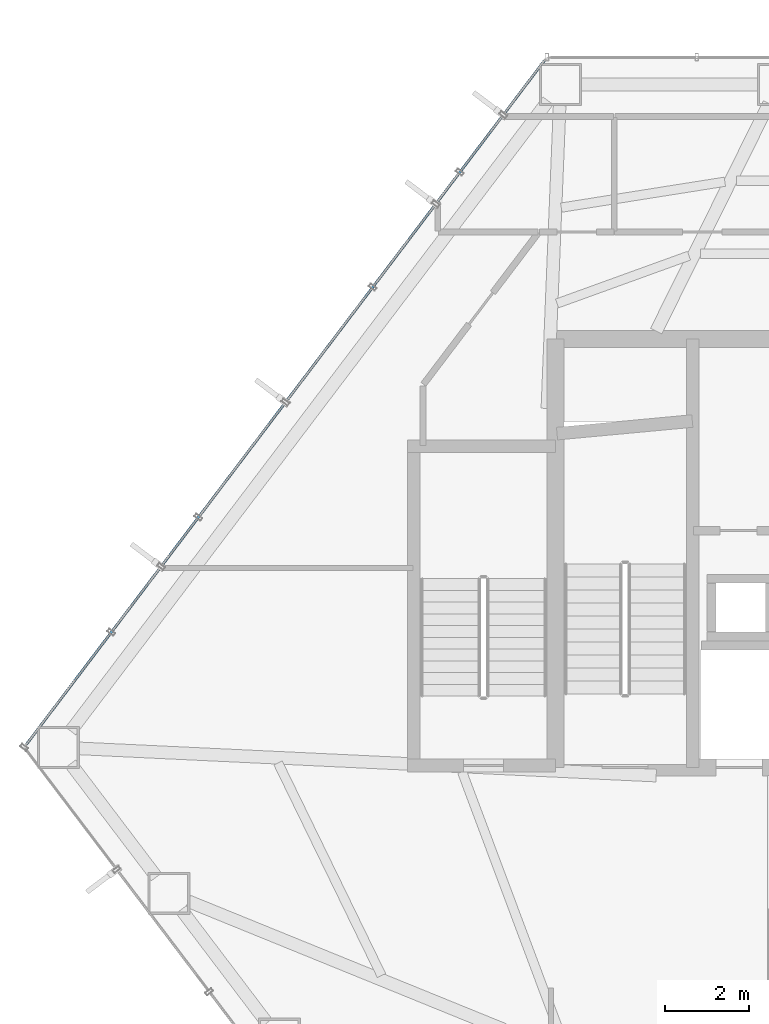
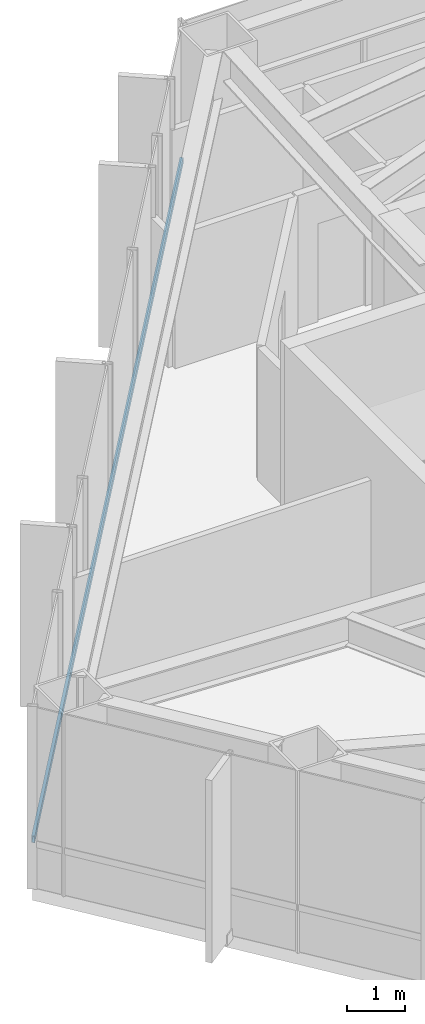
# One storey, part 12 of 26: 1 member, 1 element without a shape of its own.
"""IFC4 building model written with IfcOpenShell, lengths in metres."""

from ifc_helpers import new_model, si_unit, direction, frame, origin, origin_2d, place, context, subcontext, project, spatial, hollow_rectangle, extrude, material, layer, layer_set, material_profile, profile_set, type_object, element, aggregate, save


model = new_model("IFC4")

# Units and contexts
model_context = context("Model", 3, precision=1e-05, world=origin(), true_north=direction((0.0, 1.0)))
body_context = subcontext(model_context, "Body", "Model", "MODEL_VIEW")
ifc_project = project(units=[si_unit("LENGTHUNIT", "METRE"), si_unit("AREAUNIT", "SQUARE_METRE"), si_unit("VOLUMEUNIT", "CUBIC_METRE"), si_unit("PLANEANGLEUNIT", "RADIAN"), si_unit("MASSUNIT", "GRAM", prefix="KILO")], contexts=[model_context])

# Site, building, storey
site_placement = place(None, origin())
site = spatial("IfcSite", under=ifc_project, at=site_placement, CompositionType="ELEMENT")
building_placement = place(site_placement, origin())
building = spatial("IfcBuilding", under=site, at=building_placement, Name="Zarrinselat Tower", CompositionType="ELEMENT")
storey_placement = place(building_placement, frame((0.0, 0.0, 31.6201171875)))
storey = spatial("IfcBuildingStorey", under=building, at=storey_placement, Name="L07", CompositionType="ELEMENT", Elevation=31.6201171875)

# Curtain wall, member
ifc_material_1 = material(Name="Extruded Aluminium Alloy EN AW-6063 T6", Category="aluminium")
ifc_layer = layer(ifc_material_1, 0.18505859375)
ifc_layer_set = layer_set([ifc_layer], Name="Extruded Aluminium Alloy EN AW-6063 T6")
curtain_wall_type = type_object("IfcCurtainWallType", Name="CWS-OFF", PredefinedType="NOTDEFINED", material=ifc_layer_set)
curtain_wall_placement = place(storey_placement, origin())
curtain_wall = element("IfcCurtainWall", 1, at=curtain_wall_placement, inside=storey, type_object=curtain_wall_type, Name="L07 Unitised Curtain Wall CW-L07-E02", PredefinedType="NOTDEFINED")
ifc_material_2 = material(Name="Extruded Aluminium Alloy EN AW-6063 T6", Category="aluminium")
ifc_material_profile = material_profile(ifc_material_2, hollow_rectangle(XDim=0.06005859375, YDim=0.139892578125, WallThickness=0.00390625, at=origin_2d()), Name="RHS 140x60x4")
ifc_profile_set = profile_set([ifc_material_profile], Name="Extruded Aluminium Alloy EN AW-6063 T6")
member_type = type_object("IfcMemberType", Name="MEM-CW-TRN", PredefinedType="USERDEFINED", material=ifc_profile_set)
member_placement = place(storey_placement, frame((28.34521484375, 50.08935546875, 0.949951171875), z_axis=(-0.60386251914, -0.797088488173, 0.0), x_axis=(0.797088488173, -0.60386251914, 0.0)))
member = element("IfcMember", 2, at=member_placement, type_object=member_type, Name="CW-L07-E02 Transom 1", ObjectType="TRANSOM", PredefinedType="USERDEFINED", context=body_context, shape_type="SweptSolid", body=[
    extrude(hollow_rectangle(XDim=0.06005859375, YDim=0.139892578125, WallThickness=0.00390625, at=origin_2d()), origin(), (0.0, 0.0, 1.0), 20.43212890625),
])
aggregate(curtain_wall, [member])

save(model, "model.ifc")
